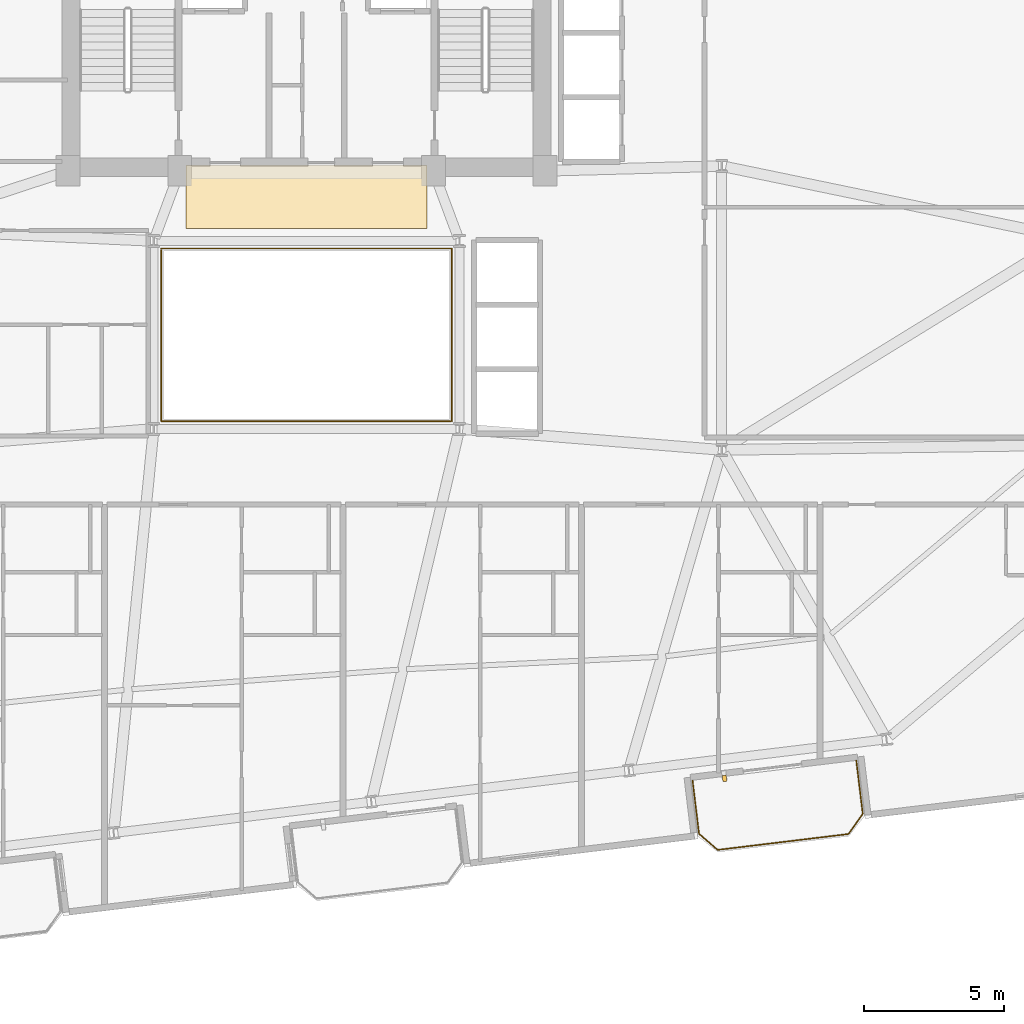
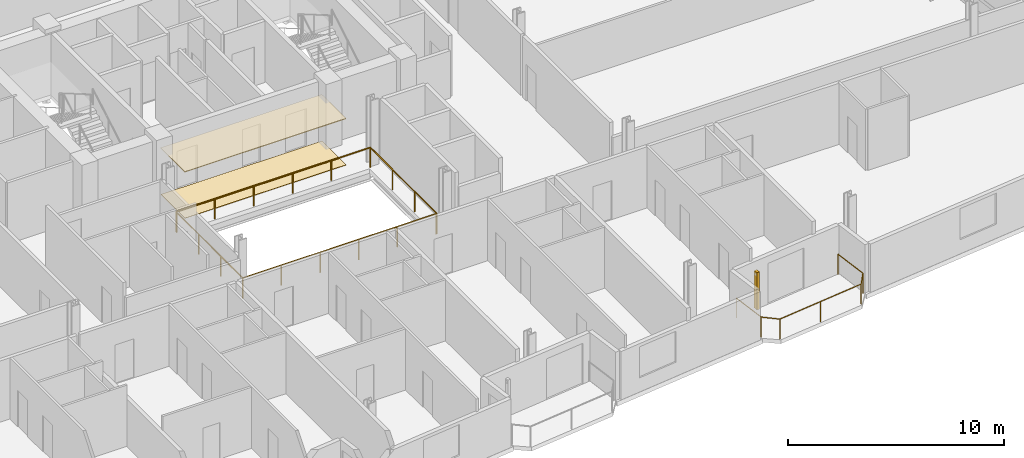
# One storey, part 21 of 23: 3 railings, 2 coverings, 1 shading device.
"""IFC4 building model written with IfcOpenShell, lengths in metres."""

import ifcopenshell
import ifcopenshell.guid

model = None  # the IFC model being written
_history = None  # IfcOwnerHistory: only IFC2X3 demands one
_inside = {}  # id of a spatial element -> (the spatial element, [elements in it])
_under = {}  # id of a project, library or spatial element -> (it, [spatial elements below it])
_declared = {}  # id of a project -> (the project, [libraries it declares])
_typed = {}  # id of a type object -> (the type object, [elements of that type])
_made_of = {}  # id of a material, layer set ... -> (it, [elements and type objects made of it])


def new_model(schema):
    """Start an empty IFC model of exactly this schema.

    Asked for "IFC4X3", IfcOpenShell would pick the latest addendum, in which some entities
    have other attributes; the version numbers below select the first issue.
    IFC2X3 requires an IfcOwnerHistory on every rooted entity: one is made here for all.
    """
    global model, _history
    if schema == "IFC4X3":
        model = ifcopenshell.file(schema_version=(4, 3, 0, 0))
    else:
        model = ifcopenshell.file(schema=schema)
    _inside.clear()
    _under.clear()
    _declared.clear()
    _typed.clear()
    _made_of.clear()
    _history = None
    if model.schema == "IFC2X3":
        org = make("IfcOrganization", Name="unknown")
        user = make(
            "IfcPersonAndOrganization",
            ThePerson=make("IfcPerson", FamilyName="unknown"),
            TheOrganization=org,
        )
        app = make(
            "IfcApplication",
            ApplicationDeveloper=org,
            Version="unknown",
            ApplicationFullName="unknown",
            ApplicationIdentifier="unknown",
        )
        _history = make(
            "IfcOwnerHistory",
            OwningUser=user,
            OwningApplication=app,
            ChangeAction="ADDED",
            CreationDate=0,
        )
    return model


def make(cls, **values):
    """One entity of the class cls with the attributes given. An attribute that is None is left unset."""
    return model.create_entity(
        cls, **{name: value for name, value in values.items() if value is not None}
    )


def rooted(cls, **values):
    """An entity with a GlobalId (a new one), such as an element, a storey or a relation."""
    return make(cls, GlobalId=ifcopenshell.guid.new(), OwnerHistory=_history, **values)


def si_unit(unit_type, name, prefix=None):
    """IfcSIUnit, for example si_unit("LENGTHUNIT", "METRE", prefix="MILLI")."""
    return make("IfcSIUnit", UnitType=unit_type, Prefix=prefix, Name=name)


def assignment(units):
    """IfcUnitAssignment: the units of a project."""
    return None if units is None else make("IfcUnitAssignment", Units=units)


def point(xyz):
    """IfcCartesianPoint."""
    return None if xyz is None else make("IfcCartesianPoint", Coordinates=xyz)


def direction(xyz):
    """IfcDirection."""
    return None if xyz is None else make("IfcDirection", DirectionRatios=xyz)


def frame(location, z_axis=None, x_axis=None):
    """IfcAxis2Placement3D, a coordinate frame: its origin and axes. An axis left out is left unset."""
    return make(
        "IfcAxis2Placement3D",
        Location=point(location),
        Axis=direction(z_axis),
        RefDirection=direction(x_axis),
    )


def frame_2d(location, x_axis=None):
    """IfcAxis2Placement2D, a coordinate frame in the plane: its origin and x axis."""
    return make(
        "IfcAxis2Placement2D", Location=point(location), RefDirection=direction(x_axis)
    )


def origin():
    """The frame at (0, 0, 0) with its axes left unset."""
    return frame((0.0, 0.0, 0.0))


def origin_2d():
    """The frame at (0, 0) in the plane with its x axis left unset."""
    return frame_2d((0.0, 0.0))


def place(relative_to, where):
    """IfcLocalPlacement: puts the frame where relative to a parent placement (None: the world)."""
    return make(
        "IfcLocalPlacement", PlacementRelTo=relative_to, RelativePlacement=where
    )


def context(
    kind, dimensions, precision=None, world=None, true_north=None, identifier=None
):
    """IfcGeometricRepresentationContext, for example the 3D "Model" context."""
    return make(
        "IfcGeometricRepresentationContext",
        ContextIdentifier=identifier,
        ContextType=kind,
        CoordinateSpaceDimension=dimensions,
        Precision=precision,
        WorldCoordinateSystem=world,
        TrueNorth=true_north,
    )


def subcontext(parent, identifier, kind, view, scale=None):
    """IfcGeometricRepresentationSubContext, for example "Body" below "Model"."""
    return make(
        "IfcGeometricRepresentationSubContext",
        ContextIdentifier=identifier,
        ContextType=kind,
        ParentContext=parent,
        TargetScale=scale,
        TargetView=view,
    )


def project(units=None, contexts=None):
    """IfcProject with its units and contexts."""
    return rooted(
        "IfcProject",
        Name="project",
        RepresentationContexts=contexts,
        UnitsInContext=assignment(units),
    )


def spatial(cls, under=None, at=None, **own):
    """A site, building, storey or space (cls), placed at a placement, below another one or the project."""
    s = rooted(cls, ObjectPlacement=at, **own)
    if under is not None:
        _under.setdefault(under.id(), (under, []))[1].append(s)
    return s


def profile(cls, at=None, kind="AREA", **sizes):
    """A parametric profile (cls). Its sizes go by their IFC names, for example OverallWidth=200.0."""
    return make(cls, ProfileType=kind, Position=at, **sizes)


def rectangle(**sizes):
    """IfcRectangleProfileDef."""
    return profile("IfcRectangleProfileDef", **sizes)


def circle(**sizes):
    """IfcCircleProfileDef."""
    return profile("IfcCircleProfileDef", **sizes)


def extrude(swept, where, along, depth):
    """IfcExtrudedAreaSolid: the profile swept, set in the frame where, extruded along a direction by depth."""
    return make(
        "IfcExtrudedAreaSolid",
        SweptArea=swept,
        Position=where,
        ExtrudedDirection=direction(along),
        Depth=depth,
    )


def shape(context_of_items, identifier, shape_type, items):
    """IfcShapeRepresentation: the items that make up one representation, for example the "Body"."""
    return make(
        "IfcShapeRepresentation",
        ContextOfItems=context_of_items,
        RepresentationIdentifier=identifier,
        RepresentationType=shape_type,
        Items=items,
    )


def source(mapping_origin, context_of_items, identifier, shape_type, items):
    """IfcRepresentationMap: a shape defined once, which mapped items show again and again."""
    return make(
        "IfcRepresentationMap",
        MappingOrigin=mapping_origin,
        MappedRepresentation=shape(context_of_items, identifier, shape_type, items),
    )


def transform(
    local_origin,
    x_axis=None,
    y_axis=None,
    z_axis=None,
    scale=None,
    scale2=None,
    scale3=None,
    uniform=True,
):
    """IfcCartesianTransformationOperator3D, or its non-uniform kind. x_axis, y_axis, z_axis: its Axis1, 2, 3."""
    if uniform:
        return make(
            "IfcCartesianTransformationOperator3D",
            Axis1=direction(x_axis),
            Axis2=direction(y_axis),
            LocalOrigin=point(local_origin),
            Scale=scale,
            Axis3=direction(z_axis),
        )
    return make(
        "IfcCartesianTransformationOperator3DnonUniform",
        Axis1=direction(x_axis),
        Axis2=direction(y_axis),
        LocalOrigin=point(local_origin),
        Scale=scale,
        Axis3=direction(z_axis),
        Scale2=scale2,
        Scale3=scale3,
    )


def mapped(mapping_source, mapping_target):
    """IfcMappedItem: shows the shape of a source again, moved by a transform."""
    return make(
        "IfcMappedItem", MappingSource=mapping_source, MappingTarget=mapping_target
    )


def material(Name=None, Category=None):
    """IfcMaterial."""
    return make("IfcMaterial", Name=Name, Category=Category)


def layer(
    of_material, thickness, ventilated=None, Name=None, Category=None, Priority=None
):
    """IfcMaterialLayer: one layer of a wall or slab, of a material (None: an air gap)."""
    return make(
        "IfcMaterialLayer",
        Material=of_material,
        LayerThickness=thickness,
        IsVentilated=ventilated,
        Name=Name,
        Category=Category,
        Priority=Priority,
    )


def layer_set(layers, Name=None):
    """IfcMaterialLayerSet."""
    return make("IfcMaterialLayerSet", MaterialLayers=layers, LayerSetName=Name)


def made_of(thing, what):
    """Note that an element or type object is made of a material, layer set ...; save() writes the relation."""
    if what is not None:
        _made_of.setdefault(what.id(), (what, []))[1].append(thing)
    return thing


def type_object(cls, material=None, **own):
    """A type object (cls), such as IfcWallType, which elements share."""
    return made_of(rooted(cls, **own), material)


def element(
    cls,
    number,
    at=None,
    inside=None,
    cuts=None,
    type_object=None,
    material=None,
    context=None,
    identifier="Body",
    shape_type=None,
    held_by="IfcProductDefinitionShape",
    body=None,
    shapes=None,
    **own,
):
    """One element of the class cls, such as IfcWall. Its Tag is "e" and its number.

    at: its placement. inside: the storey or other place that contains it. cuts: it is an
    opening in that element (IfcRelVoidsElement). A single representation is given by context,
    identifier, shape_type and body (its items); several are given by shapes. held_by: the class
    of the entity that holds the representations. save() writes the other relations.
    """
    e = rooted(cls, Tag="e%d" % number, ObjectPlacement=at, **own)
    if body is not None:
        shapes = [shape(context, identifier, shape_type, body)]
    if shapes is not None:
        e.Representation = make(held_by, Representations=shapes)
    if inside is not None:
        _inside.setdefault(inside.id(), (inside, []))[1].append(e)
    if cuts is not None:
        rooted(
            "IfcRelVoidsElement", RelatingBuildingElement=cuts, RelatedOpeningElement=e
        )
    if type_object is not None:
        _typed.setdefault(type_object.id(), (type_object, []))[1].append(e)
    return made_of(e, material)


def aggregate(whole, parts):
    """IfcRelAggregates: a whole, such as a stair, and the parts it consists of."""
    return rooted("IfcRelAggregates", RelatingObject=whole, RelatedObjects=parts)


def save(model, path):
    """Write the relations noted so far, then the file.

    IfcRelAggregates (storeys below a building ...), IfcRelContainedInSpatialStructure (elements
    in a storey), IfcRelDefinesByType, IfcRelAssociatesMaterial and IfcRelDeclares: one each for
    every whole, place, type object, material and project.
    """
    for whole, parts in _under.values():
        aggregate(whole, parts)
    for where, things in _inside.values():
        rooted(
            "IfcRelContainedInSpatialStructure",
            RelatedElements=things,
            RelatingStructure=where,
        )
    for kind, things in _typed.values():
        rooted("IfcRelDefinesByType", RelatedObjects=things, RelatingType=kind)
    for what, things in _made_of.values():
        rooted("IfcRelAssociatesMaterial", RelatedObjects=things, RelatingMaterial=what)
    for by, libraries in _declared.values():
        rooted("IfcRelDeclares", RelatingContext=by, RelatedDefinitions=libraries)
    model.write(path)


model = new_model("IFC4")

# Units and contexts
model_context = context("Model", 3, precision=1e-05, world=origin(), true_north=direction((0.0, 1.0)))
body_context = subcontext(model_context, "Body", "Model", "MODEL_VIEW")
ifc_project = project(units=[si_unit("LENGTHUNIT", "METRE"), si_unit("AREAUNIT", "SQUARE_METRE"), si_unit("VOLUMEUNIT", "CUBIC_METRE"), si_unit("PLANEANGLEUNIT", "RADIAN"), si_unit("MASSUNIT", "GRAM", prefix="KILO")], contexts=[model_context])

# Site, building, storey
site_placement = place(None, origin())
site = spatial("IfcSite", under=ifc_project, at=site_placement, CompositionType="ELEMENT")
building_placement = place(site_placement, origin())
building = spatial("IfcBuilding", under=site, at=building_placement, Name="Varnelok Gate Tower", CompositionType="ELEMENT")
storey_placement = place(building_placement, frame((0.0, 0.0, 193.10009765625)))
storey = spatial("IfcBuildingStorey", under=building, at=storey_placement, Name="L49", CompositionType="ELEMENT", Elevation=193.10009765625)

# Railings
ifc_material_1 = material(Name="Tempered Laminated Balustrade Glass", Category="glass")
railing_type_1 = type_object("IfcRailingType", Name="RL-ATR-GUARD1150", PredefinedType="GUARDRAIL", material=ifc_material_1)
railing_1_placement = place(storey_placement, frame((34.02001953125, 25.929931640625, 0.0)))
element("IfcRailing", 1, at=railing_1_placement, inside=storey, type_object=railing_type_1, Name="L49 Internal Atrium South-West Guardrail", PredefinedType="GUARDRAIL", context=body_context, shape_type="SweptSolid", body=[
    extrude(circle(Radius=0.02392578125, at=origin_2d()), frame((0.0, 0.0, 1.1259765625), z_axis=(0.0, -1.0, 0.0), x_axis=(1.0, 0.0, 0.0)), (0.0, 0.0, 1.0), 6.10986328125),
    extrude(circle(Radius=0.02392578125, at=origin_2d()), frame((0.0, -6.10986328125, 1.1259765625), z_axis=(1.0, 0.0, 0.0), x_axis=(0.0, 1.0, 0.0)), (0.0, 0.0, 1.0), 10.31005859375),
    extrude(circle(Radius=0.02099609375, at=origin_2d()), origin(), (0.0, 0.0, 1.0), 1.101806640625),
    extrude(circle(Radius=0.02099609375, at=origin_2d()), frame((0.0, -2.03662109375, 0.0)), (0.0, 0.0, 1.0), 1.101806640625),
    extrude(circle(Radius=0.02099609375, at=origin_2d()), frame((0.0, -4.0732421875, 0.0)), (0.0, 0.0, 1.0), 1.101806640625),
    extrude(circle(Radius=0.02099609375, at=origin_2d()), frame((0.0, -6.10986328125, 0.0)), (0.0, 0.0, 1.0), 1.101806640625),
    extrude(circle(Radius=0.02099609375, at=origin_2d()), frame((2.06201171875, -6.10986328125, 0.0)), (0.0, 0.0, 1.0), 1.101806640625),
    extrude(circle(Radius=0.02099609375, at=origin_2d()), frame((4.1240234375, -6.10986328125, 0.0)), (0.0, 0.0, 1.0), 1.101806640625),
    extrude(circle(Radius=0.02099609375, at=origin_2d()), frame((6.18603515625, -6.10986328125, 0.0)), (0.0, 0.0, 1.0), 1.101806640625),
    extrude(circle(Radius=0.02099609375, at=origin_2d()), frame((8.248046875, -6.10986328125, 0.0)), (0.0, 0.0, 1.0), 1.101806640625),
    extrude(circle(Radius=0.02099609375, at=origin_2d()), frame((10.31005859375, -6.10986328125, 0.0)), (0.0, 0.0, 1.0), 1.101806640625),
])
railing_2_placement = place(storey_placement, frame((44.3798828125, 19.820068359375, 0.0)))
element("IfcRailing", 2, at=railing_2_placement, inside=storey, type_object=railing_type_1, Name="L49 Internal Atrium North-East Guardrail", PredefinedType="GUARDRAIL", context=body_context, shape_type="SweptSolid", body=[
    extrude(circle(Radius=0.02392578125, at=origin_2d()), frame((0.0, 0.0, 1.1259765625), z_axis=(0.0, 1.0, 0.0), x_axis=(-1.0, 0.0, 0.0)), (0.0, 0.0, 1.0), 6.159912109375),
    extrude(circle(Radius=0.02392578125, at=origin_2d()), frame((0.0, 6.159912109375, 1.1259765625), z_axis=(-1.0, 0.0, 0.0), x_axis=(0.0, -1.0, 0.0)), (0.0, 0.0, 1.0), 10.35986328125),
    extrude(circle(Radius=0.02099609375, at=origin_2d()), origin(), (0.0, 0.0, 1.0), 1.101806640625),
    extrude(circle(Radius=0.02099609375, at=origin_2d()), frame((0.0, 2.05322265625, 0.0)), (0.0, 0.0, 1.0), 1.101806640625),
    extrude(circle(Radius=0.02099609375, at=origin_2d()), frame((0.0, 4.106689453125, 0.0)), (0.0, 0.0, 1.0), 1.101806640625),
    extrude(circle(Radius=0.02099609375, at=origin_2d()), frame((0.0, 6.159912109375, 0.0)), (0.0, 0.0, 1.0), 1.101806640625),
    extrude(circle(Radius=0.02099609375, at=origin_2d()), frame((-2.072021484375, 6.159912109375, 0.0)), (0.0, 0.0, 1.0), 1.101806640625),
    extrude(circle(Radius=0.02099609375, at=origin_2d()), frame((-4.14404296875, 6.159912109375, 0.0)), (0.0, 0.0, 1.0), 1.101806640625),
    extrude(circle(Radius=0.02099609375, at=origin_2d()), frame((-6.2158203125, 6.159912109375, 0.0)), (0.0, 0.0, 1.0), 1.101806640625),
    extrude(circle(Radius=0.02099609375, at=origin_2d()), frame((-8.287841796875, 6.159912109375, 0.0)), (0.0, 0.0, 1.0), 1.101806640625),
    extrude(circle(Radius=0.02099609375, at=origin_2d()), frame((-10.35986328125, 6.159912109375, 0.0)), (0.0, 0.0, 1.0), 1.101806640625),
])
ifc_material_2 = material(Name="Low-E Laminated Double Glazing IGU", Category="glass")
railing_type_2 = type_object("IfcRailingType", Name="RL-BALC-1150", PredefinedType="BALUSTRADE", material=ifc_material_2)
railing_3_placement = place(storey_placement, frame((52.95947265625, 7.023193359375, 0.0)))
element("IfcRailing", 3, at=railing_3_placement, inside=storey, type_object=railing_type_2, Name="L49 South Terrace Balustrade 3", PredefinedType="BALUSTRADE", context=body_context, shape_type="SweptSolid", body=[
    extrude(circle(Radius=0.02392578125, at=origin_2d()), frame((0.0, 0.0, 1.1259765625), z_axis=(0.12040351024, -0.992725034802, 0.0), x_axis=(0.992725034802, 0.12040351024, 0.0)), (0.0, 0.0, 1.0), 1.920166015625),
    extrude(circle(Radius=0.02392578125, at=origin_2d()), frame((0.231201171875, -1.90625, 1.1259765625), z_axis=(0.756303655992, -0.654220742513, 0.0), x_axis=(0.654220742513, 0.756303655992, 0.0)), (0.0, 0.0, 1.0), 0.877685546875),
    extrude(circle(Radius=0.02392578125, at=origin_2d()), frame((0.89501953125, -2.48046875, 1.1259765625), z_axis=(0.99273133746, 0.120351533534, 0.0), x_axis=(-0.120351533534, 0.99273133746, 0.0)), (0.0, 0.0, 1.0), 4.7001953125),
    extrude(circle(Radius=0.02392578125, at=origin_2d()), frame((5.56103515625, -1.914794921875, 1.1259765625), z_axis=(0.577971037086, 0.816057277579, 0.0), x_axis=(-0.816057277579, 0.577971037086, 0.0)), (0.0, 0.0, 1.0), 0.877685546875),
    extrude(circle(Radius=0.02392578125, at=origin_2d()), frame((6.068359375, -1.198486328125, 1.1259765625), z_axis=(-0.120293392036, 0.992738384386, 0.0), x_axis=(-0.992738384386, -0.120293392036, 0.0)), (0.0, 0.0, 1.0), 1.919921875),
    extrude(circle(Radius=0.02099609375, at=origin_2d()), origin(), (0.0, 0.0, 1.0), 1.101806640625),
    extrude(circle(Radius=0.02099609375, at=origin_2d()), frame((0.231201171875, -1.90625, 0.0)), (0.0, 0.0, 1.0), 1.101806640625),
    extrude(circle(Radius=0.02099609375, at=origin_2d()), frame((0.89501953125, -2.48046875, 0.0)), (0.0, 0.0, 1.0), 1.101806640625),
    extrude(circle(Radius=0.02099609375, at=origin_2d()), frame((3.22802734375, -2.19775390625, 0.0)), (0.0, 0.0, 1.0), 1.101806640625),
    extrude(circle(Radius=0.02099609375, at=origin_2d()), frame((5.56103515625, -1.914794921875, 0.0)), (0.0, 0.0, 1.0), 1.101806640625),
    extrude(circle(Radius=0.02099609375, at=origin_2d()), frame((6.068359375, -1.198486328125, 0.0)), (0.0, 0.0, 1.0), 1.101806640625),
    extrude(circle(Radius=0.02099609375, at=origin_2d()), frame((5.83740234375, 0.70751953125, 0.0)), (0.0, 0.0, 1.0), 1.101806640625),
])

# Shading device
ifc_material_3 = material(Name="Glazed Architectural Terracotta Ceramic", Category="masonry")
shading_device_type = type_object("IfcShadingDeviceType", Name="SHD-TERRA-FIN", PredefinedType="USERDEFINED", material=ifc_material_3)
shared_shape_1 = source(origin(), body_context, "Body", "SweptSolid", [
    extrude(rectangle(XDim=0.139892578125, YDim=0.219970703125, at=origin_2d()), origin(), (0.0, 0.0, 1.0), 2.10009765625),
])
shading_device_placement = place(storey_placement, frame((54.099609375, 7.0908203125, 0.099853515625), z_axis=(0.0, 0.0, 1.0), x_axis=(0.992732158755, 0.12034475881, 0.0)))
element("IfcShadingDevice", 4, at=shading_device_placement, inside=storey, type_object=shading_device_type, Name="L49 Terracotta Ceramic Baguette Sunscreen 3.1", ObjectType="BAGUETTE", PredefinedType="USERDEFINED", context=body_context, shape_type="MappedRepresentation", body=[
    mapped(shared_shape_1, transform((0.0, 0.0, 0.0), scale=1.0)),
])

# Coverings
ifc_material_4 = material(Name="Honed Travertine Stone Flooring", Category="masonry")
ifc_layer_1 = layer(ifc_material_4, 0.02490234375)
ifc_layer_set_1 = layer_set([ifc_layer_1], Name="Honed Travertine Stone Flooring")
covering_type_1 = type_object("IfcCoveringType", Name="COV-FLOR-STONE", PredefinedType="FLOORING", material=ifc_layer_set_1)
shared_shape_2 = source(origin(), body_context, "Body", "SweptSolid", [
    extrude(rectangle(XDim=8.60009765625, YDim=2.219970703125, at=origin_2d()), origin(), (0.0, 0.0, 1.0), 0.02490234375),
])
covering_1_placement = place(storey_placement, frame((39.199951171875, 27.800048828125, 0.0), z_axis=(0.0, 0.0, 1.0), x_axis=(1.0, 0.0, 0.0)))
element("IfcCovering", 5, at=covering_1_placement, inside=storey, type_object=covering_type_1, Name="L49 Core Gallery Stone Flooring", PredefinedType="FLOORING", context=body_context, shape_type="MappedRepresentation", body=[
    mapped(shared_shape_2, transform((0.0, 0.0, 0.0), scale=1.0)),
])
ifc_material_5 = material(Name="Mineral Fiber Acoustic Ceiling Tile")
ifc_layer_2 = layer(ifc_material_5, 0.0400390625)
ifc_layer_set_2 = layer_set([ifc_layer_2], Name="Mineral Fiber Acoustic Ceiling Tile")
covering_type_2 = type_object("IfcCoveringType", Name="COV-CEIL-ACOUST", PredefinedType="CEILING", material=ifc_layer_set_2)
shared_shape_3 = source(origin(), body_context, "Body", "SweptSolid", [
    extrude(rectangle(XDim=8.60009765625, YDim=2.239990234375, at=origin_2d()), origin(), (0.0, 0.0, 1.0), 0.0400390625),
])
covering_2_placement = place(storey_placement, frame((39.199951171875, 27.820068359375, 2.599853515625), z_axis=(0.0, 0.0, 1.0), x_axis=(1.0, 0.0, 0.0)))
element("IfcCovering", 6, at=covering_2_placement, inside=storey, type_object=covering_type_2, Name="L49 Core Gallery Acoustic Ceiling", PredefinedType="CEILING", context=body_context, shape_type="MappedRepresentation", body=[
    mapped(shared_shape_3, transform((0.0, 0.0, 0.0), scale=1.0)),
])

save(model, "model.ifc")
